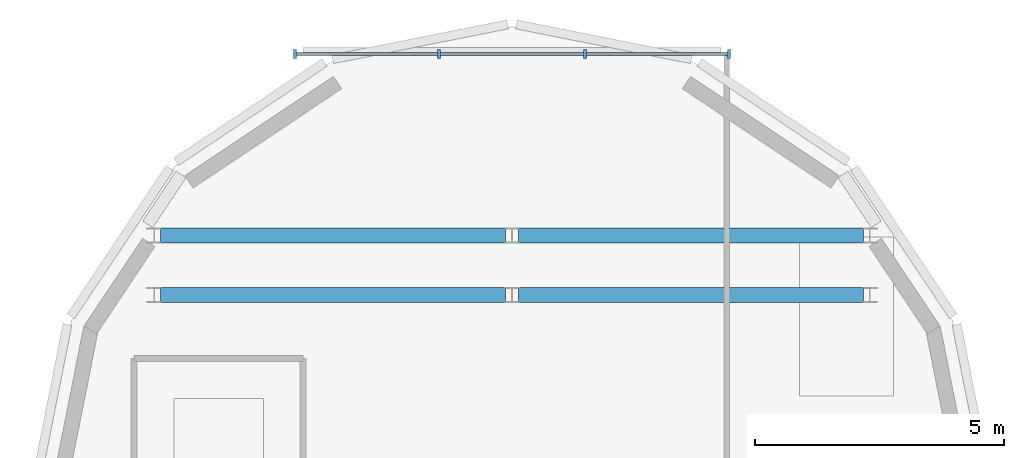
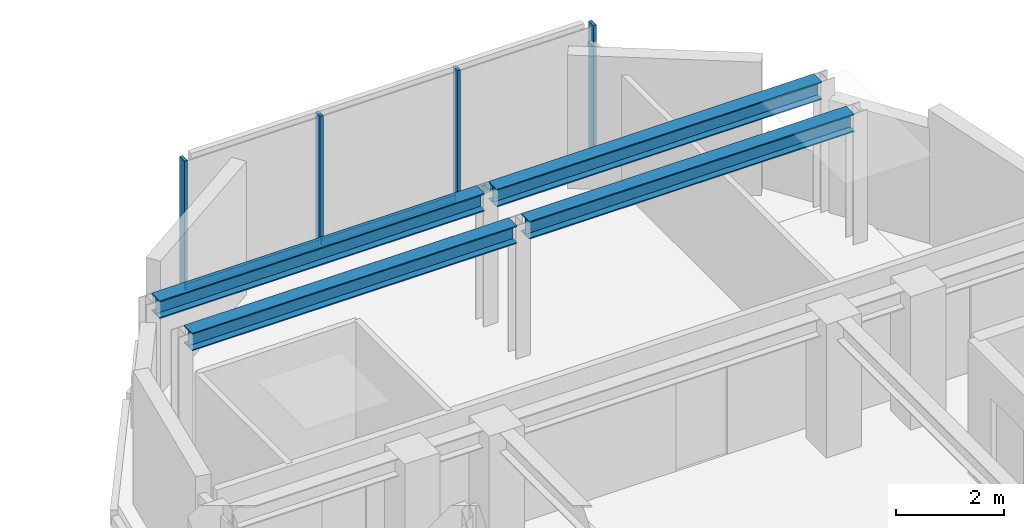
# One storey, part 5 of 12: 7 members, 4 beams, 1 element without a shape of its own.
"""IFC4 building model written with IfcOpenShell, lengths in metres."""

from ifc_helpers import new_model, si_unit, direction, frame, origin, origin_2d, place, context, subcontext, project, spatial, rectangle, i_section, extrude, source, transform, mapped, material, material_profile, profile_set, type_object, element, aggregate, save


model = new_model("IFC4")

# Units and contexts
model_context = context("Model", 3, precision=1e-05, world=origin(), true_north=direction((0.0, 1.0)))
body_context = subcontext(model_context, "Body", "Model", "MODEL_VIEW")
ifc_project = project(units=[si_unit("LENGTHUNIT", "METRE"), si_unit("AREAUNIT", "SQUARE_METRE"), si_unit("VOLUMEUNIT", "CUBIC_METRE"), si_unit("PLANEANGLEUNIT", "RADIAN"), si_unit("MASSUNIT", "GRAM", prefix="KILO")], contexts=[model_context])

# Site, building, storey
site_placement = place(None, origin())
site = spatial("IfcSite", under=ifc_project, at=site_placement, CompositionType="ELEMENT")
building_placement = place(site_placement, origin())
building = spatial("IfcBuilding", under=site, at=building_placement, Name="Keilestroom Media Tower", CompositionType="ELEMENT")
storey_placement = place(building_placement, frame((0.0, 0.0, 258.800048828125)))
storey = spatial("IfcBuildingStorey", under=building, at=storey_placement, Name="L72", CompositionType="ELEMENT", Elevation=258.800048828125)

# Beams
ifc_material_1 = material(Name="Steel S355", Category="steel")
ifc_material_profile_1 = material_profile(ifc_material_1, i_section(OverallWidth=0.300048828125, OverallDepth=0.39990234375, WebThickness=0.011474609375, FlangeThickness=0.02392578125, at=origin_2d()), Name="HEB 400")
ifc_profile_set_1 = profile_set([ifc_material_profile_1], Name="Steel S355")
beam_type = type_object("IfcBeamType", Name="Primary-Structural-Girder-HEB-400", PredefinedType="BEAM", material=ifc_profile_set_1)
shared_shape_1 = source(origin(), body_context, "Body", "SweptSolid", [
    extrude(i_section(OverallWidth=0.300048828125, OverallDepth=0.39990234375, WebThickness=0.011474609375, FlangeThickness=0.02392578125, at=origin_2d()), origin(), (0.0, 0.0, 1.0), 6.940185546875),
])
for number, where, z_axis, x_axis, name in (
    (1, (-7.070068359375, 14.39990234375, 2.81005859375), (1.0, 0.0, 0.0), (0.0, 1.0, 0.0), "L72 Beam BG-8 BM-L72-EW-013"),
    (2, (0.1298828125, 14.39990234375, 2.81005859375), (1.0, 0.0, 0.0), (0.0, 1.0, 0.0), "L72 Beam BG-8 BM-L72-EW-014"),
    (3, (-7.070068359375, 15.60009765625, 2.81005859375), (1.0, 0.0, 0.0), (0.0, 1.0, 0.0), "L72 Beam BG-8 BM-L72-EW-015"),
    (4, (0.1298828125, 15.60009765625, 2.81005859375), (1.0, 0.0, 0.0), (0.0, 1.0, 0.0), "L72 Beam BG-8 BM-L72-EW-016"),
):
    element("IfcBeam", number, at=place(storey_placement, frame(where, z_axis=z_axis, x_axis=x_axis)), inside=storey, type_object=beam_type, Name=name, PredefinedType="BEAM", context=body_context, shape_type="MappedRepresentation", body=[
        mapped(shared_shape_1, transform((0.0, 0.0, 0.0), x_axis=(1.0, 0.0, 0.0), y_axis=(0.0, 1.0, 0.0), z_axis=(0.0, 0.0, 1.0), scale=1.0)),
    ])

# Curtain wall, members
ifc_material_2 = material(Name="Anodised Aluminium Alloy", Category="aluminium")
curtain_wall_type = type_object("IfcCurtainWallType", Name="Unitised-Curtain-Wall-CW-6", PredefinedType="NOTDEFINED", material=ifc_material_2)
curtain_wall_placement = place(storey_placement, origin())
curtain_wall = element("IfcCurtainWall", 5, at=curtain_wall_placement, inside=storey, type_object=curtain_wall_type, Name="L72 Curtain Wall CW-6 CW-L72-LN-1", PredefinedType="NOTDEFINED")
ifc_material_profile_2 = material_profile(ifc_material_2, rectangle(XDim=0.06494140625, YDim=0.179931640625, at=origin_2d()), Name="ALU MULLION 65x180")
ifc_profile_set_2 = profile_set([ifc_material_profile_2], Name="Anodised Aluminium Alloy")
member_type_1 = type_object("IfcMemberType", Name="Curtain-Wall-Mullion-CW-6", PredefinedType="MULLION", material=ifc_profile_set_2)
shared_shape_2 = source(origin(), body_context, "Body", "SweptSolid", [
    extrude(rectangle(XDim=0.06494140625, YDim=0.179931640625, at=origin_2d()), origin(), (0.0, 0.0, 1.0), 2.97998046875),
])
member_1_placement = place(storey_placement, frame((-4.367431640625, 19.25, 0.0), z_axis=(0.0, 0.0, 1.0), x_axis=(1.0, 0.0, 0.0)))
member_1 = element("IfcMember", 6, at=member_1_placement, type_object=member_type_1, Name="CW-6 Mullion 00", PredefinedType="MULLION", context=body_context, shape_type="MappedRepresentation", body=[
    mapped(shared_shape_2, transform((0.0, 0.0, 0.0), x_axis=(1.0, 0.0, 0.0), y_axis=(0.0, 1.0, 0.0), z_axis=(0.0, 0.0, 1.0), scale=1.0)),
])
member_2_placement = place(storey_placement, frame((-1.466796875, 19.25, 0.0), z_axis=(0.0, 0.0, 1.0), x_axis=(1.0, 0.0, 0.0)))
member_2 = element("IfcMember", 7, at=member_2_placement, type_object=member_type_1, Name="CW-6 Mullion 01", PredefinedType="MULLION", context=body_context, shape_type="MappedRepresentation", body=[
    mapped(shared_shape_2, transform((0.0, 0.0, 0.0), x_axis=(1.0, 0.0, 0.0), y_axis=(0.0, 1.0, 0.0), z_axis=(0.0, 0.0, 1.0), scale=1.0)),
])
member_3_placement = place(storey_placement, frame((1.466796875, 19.25, 0.0), z_axis=(0.0, 0.0, 1.0), x_axis=(1.0, 0.0, 0.0)))
member_3 = element("IfcMember", 8, at=member_3_placement, type_object=member_type_1, Name="CW-6 Mullion 02", PredefinedType="MULLION", context=body_context, shape_type="MappedRepresentation", body=[
    mapped(shared_shape_2, transform((0.0, 0.0, 0.0), x_axis=(1.0, 0.0, 0.0), y_axis=(0.0, 1.0, 0.0), z_axis=(0.0, 0.0, 1.0), scale=1.0)),
])
member_4_placement = place(storey_placement, frame((4.367431640625, 19.25, 0.0), z_axis=(0.0, 0.0, 1.0), x_axis=(1.0, 0.0, 0.0)))
member_4 = element("IfcMember", 9, at=member_4_placement, type_object=member_type_1, Name="CW-6 Mullion 03", PredefinedType="MULLION", context=body_context, shape_type="MappedRepresentation", body=[
    mapped(shared_shape_2, transform((0.0, 0.0, 0.0), x_axis=(1.0, 0.0, 0.0), y_axis=(0.0, 1.0, 0.0), z_axis=(0.0, 0.0, 1.0), scale=1.0)),
])
ifc_material_profile_3 = material_profile(ifc_material_2, rectangle(XDim=0.06494140625, YDim=0.14990234375, at=origin_2d()), Name="ALU TRANSOM 65x150")
ifc_profile_set_3 = profile_set([ifc_material_profile_3], Name="Anodised Aluminium Alloy")
member_type_2 = type_object("IfcMemberType", Name="Curtain-Wall-Transom-CW-6", PredefinedType="USERDEFINED", material=ifc_profile_set_3)
shared_shape_3 = source(origin(), body_context, "Body", "SweptSolid", [
    extrude(rectangle(XDim=0.06494140625, YDim=0.14990234375, at=origin_2d()), origin(), (0.0, 0.0, 1.0), 2.839599609375),
])
member_5_placement = place(storey_placement, frame((-4.3369140625, 19.25, 0.074951171875), z_axis=(1.0, 0.0, 0.0), x_axis=(0.0, 1.0, 0.0)))
member_5 = element("IfcMember", 10, at=member_5_placement, type_object=member_type_2, Name="CW-6 Transom 00.1", ObjectType="TRANSOM", PredefinedType="USERDEFINED", context=body_context, shape_type="MappedRepresentation", body=[
    mapped(shared_shape_3, transform((0.0, 0.0, 0.0), x_axis=(1.0, 0.0, 0.0), y_axis=(0.0, 1.0, 0.0), z_axis=(0.0, 0.0, 1.0), scale=1.0)),
])
member_6_placement = place(storey_placement, frame((1.497314453125, 19.25, 0.074951171875), z_axis=(1.0, 0.0, 0.0), x_axis=(0.0, 1.0, 0.0)))
member_6 = element("IfcMember", 11, at=member_6_placement, type_object=member_type_2, Name="CW-6 Transom 02.1", ObjectType="TRANSOM", PredefinedType="USERDEFINED", context=body_context, shape_type="MappedRepresentation", body=[
    mapped(shared_shape_3, transform((0.0, 0.0, 0.0), x_axis=(1.0, 0.0, 0.0), y_axis=(0.0, 1.0, 0.0), z_axis=(0.0, 0.0, 1.0), scale=1.0)),
])
shared_shape_4 = source(origin(), body_context, "Body", "SweptSolid", [
    extrude(rectangle(XDim=0.06494140625, YDim=0.14990234375, at=origin_2d()), origin(), (0.0, 0.0, 1.0), 2.87255859375),
])
member_7_placement = place(storey_placement, frame((-1.436279296875, 19.25, 0.074951171875), z_axis=(1.0, 0.0, 0.0), x_axis=(0.0, 1.0, 0.0)))
member_7 = element("IfcMember", 12, at=member_7_placement, type_object=member_type_2, Name="CW-6 Transom 01.1", ObjectType="TRANSOM", PredefinedType="USERDEFINED", context=body_context, shape_type="MappedRepresentation", body=[
    mapped(shared_shape_4, transform((0.0, 0.0, 0.0), x_axis=(1.0, 0.0, 0.0), y_axis=(0.0, 1.0, 0.0), z_axis=(0.0, 0.0, 1.0), scale=1.0)),
])
aggregate(curtain_wall, [member_1, member_2, member_3, member_4, member_5, member_7, member_6])

save(model, "model.ifc")
